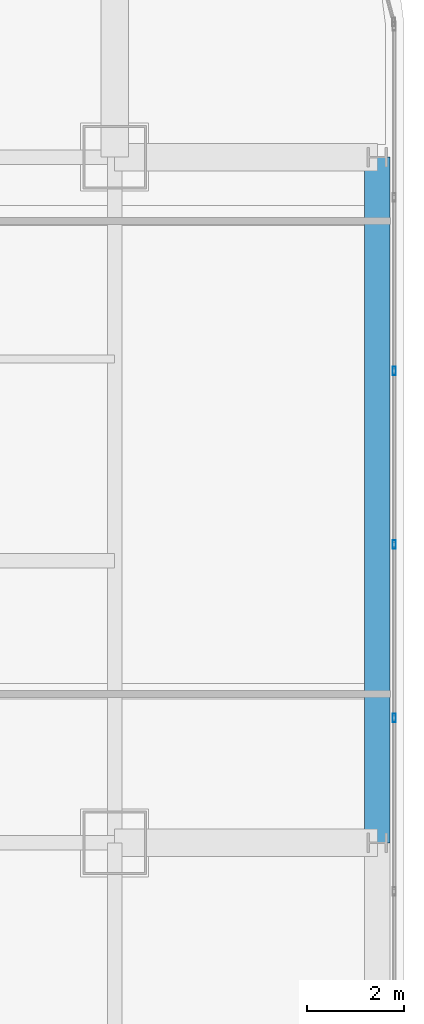
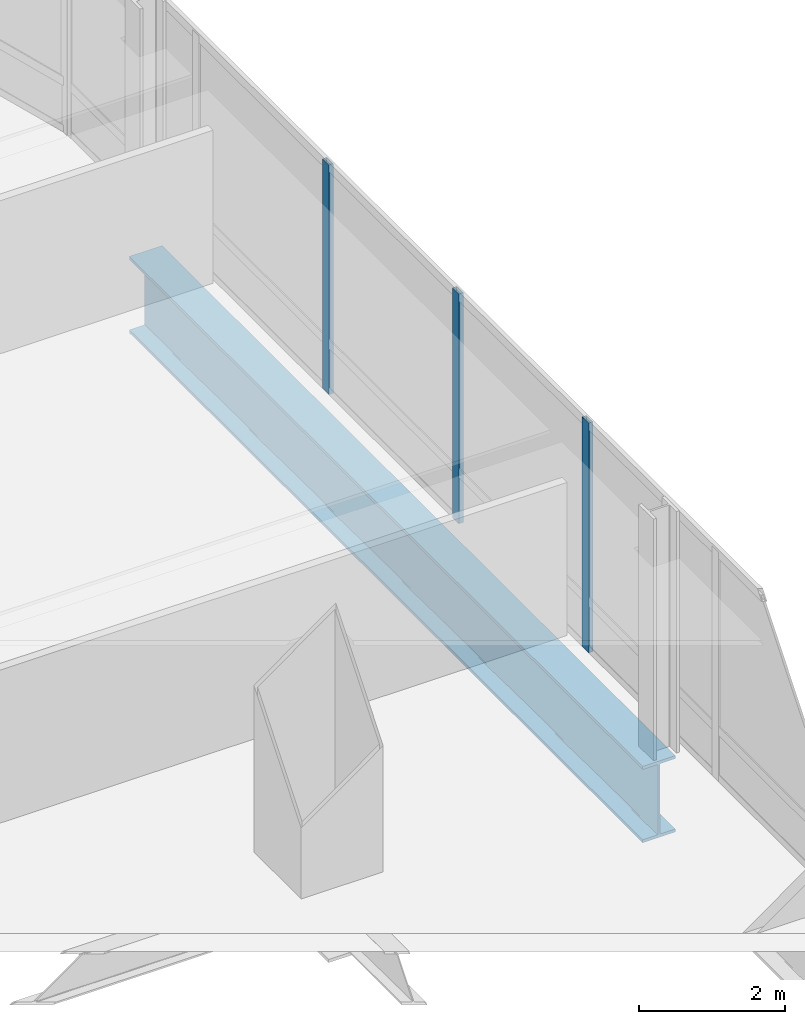
# One storey, part 21 of 42: 3 members, 1 beam, 1 element without a shape of its own.
"""IFC4 building model written with IfcOpenShell, lengths in metres."""

from ifc_helpers import new_model, si_unit, direction, frame, origin, origin_2d, place, context, subcontext, project, spatial, hollow_rectangle, i_section, extrude, material, material_profile, profile_set, type_object, element, aggregate, save


model = new_model("IFC4")

# Units and contexts
model_context = context("Model", 3, precision=1e-05, world=origin(), true_north=direction((0.0, 1.0)))
body_context = subcontext(model_context, "Body", "Model", "MODEL_VIEW")
ifc_project = project(units=[si_unit("LENGTHUNIT", "METRE"), si_unit("AREAUNIT", "SQUARE_METRE"), si_unit("VOLUMEUNIT", "CUBIC_METRE"), si_unit("PLANEANGLEUNIT", "RADIAN"), si_unit("MASSUNIT", "GRAM", prefix="KILO")], contexts=[model_context])

# Site, building, storey
site_placement = place(None, origin())
site = spatial("IfcSite", under=ifc_project, at=site_placement, CompositionType="ELEMENT")
building_placement = place(site_placement, origin())
building = spatial("IfcBuilding", under=site, at=building_placement, Name="Punatoya Terracotta Tower", CompositionType="ELEMENT")
storey_placement = place(building_placement, frame((0.0, 0.0, 259.5)))
storey = spatial("IfcBuildingStorey", under=building, at=storey_placement, Name="L61", CompositionType="ELEMENT", Elevation=259.5)

# Beam
ifc_material_1 = material(Name="Steel S460", Category="steel")
ifc_material_profile_1 = material_profile(ifc_material_1, i_section(OverallWidth=0.52001953125, OverallDepth=1.280029296875, WebThickness=0.031982421875, FlangeThickness=0.050048828125, FilletRadius=0.01806640625, at=origin_2d()))
ifc_profile_set_1 = profile_set([ifc_material_profile_1], Name="Steel S460")
beam_type = type_object("IfcBeamType", Name="BM-TG-NCK", PredefinedType="BEAM", material=ifc_profile_set_1)
beam_placement = place(storey_placement, frame((24.5, 3.39990234375, -0.840087890625), z_axis=(0.0, 1.0, 0.0), x_axis=(-1.0, 0.0, 0.0)))
element("IfcBeam", 1, at=beam_placement, inside=storey, type_object=beam_type, Name="BM-L61-PER-E3", PredefinedType="BEAM", context=body_context, shape_type="SweptSolid", body=[
    extrude(i_section(OverallWidth=0.52001953125, OverallDepth=1.280029296875, WebThickness=0.031982421875, FlangeThickness=0.050048828125, FilletRadius=0.01806640625, at=origin_2d()), origin(), (0.0, 0.0, 1.0), 14.10009765625),
])

# Curtain wall, members
ifc_material_2 = material(Name="Aluminium 6063-T6 + Double Low-E Glass", Category="aluminium")
curtain_wall_type = type_object("IfcCurtainWallType", Name="CW-M3", PredefinedType="NOTDEFINED", material=ifc_material_2)
curtain_wall_placement = place(storey_placement, origin())
curtain_wall = element("IfcCurtainWall", 2, at=curtain_wall_placement, inside=storey, type_object=curtain_wall_type, Name="L61 Curtain Wall CW-L61-E05-1", PredefinedType="NOTDEFINED")
ifc_material_3 = material(Name="Aluminium 6063-T6", Category="aluminium")
ifc_material_profile_2 = material_profile(ifc_material_3, hollow_rectangle(XDim=0.070068359375, YDim=0.179931640625, WallThickness=0.00390625, at=origin_2d()))
ifc_profile_set_2 = profile_set([ifc_material_profile_2], Name="Aluminium 6063-T6")
member_type = type_object("IfcMemberType", Name="CW-MUL-M3", PredefinedType="MULLION", material=ifc_profile_set_2)
member_1_placement = place(storey_placement, frame((24.85009765625, 5.96728515625, 0.0), z_axis=(0.0, 0.0, 1.0), x_axis=(1.0, 0.0, 0.0)))
member_1 = element("IfcMember", 3, at=member_1_placement, type_object=member_type, Name="CW-L61-E05-1 Mullion 06", PredefinedType="MULLION", context=body_context, shape_type="SweptSolid", body=[
    extrude(hollow_rectangle(XDim=0.070068359375, YDim=0.179931640625, WallThickness=0.00390625, at=origin_2d()), origin(), (0.0, 0.0, 1.0), 3.85009765625),
])
member_2_placement = place(storey_placement, frame((24.85009765625, 9.534912109375, 0.0), z_axis=(0.0, 0.0, 1.0), x_axis=(1.0, 0.0, 0.0)))
member_2 = element("IfcMember", 4, at=member_2_placement, type_object=member_type, Name="CW-L61-E05-1 Mullion 07", PredefinedType="MULLION", context=body_context, shape_type="SweptSolid", body=[
    extrude(hollow_rectangle(XDim=0.070068359375, YDim=0.179931640625, WallThickness=0.00390625, at=origin_2d()), origin(), (0.0, 0.0, 1.0), 3.85009765625),
])
member_3_placement = place(storey_placement, frame((24.85009765625, 13.10205078125, 0.0), z_axis=(0.0, 0.0, 1.0), x_axis=(1.0, 0.0, 0.0)))
member_3 = element("IfcMember", 5, at=member_3_placement, type_object=member_type, Name="CW-L61-E05-1 Mullion 08", PredefinedType="MULLION", context=body_context, shape_type="SweptSolid", body=[
    extrude(hollow_rectangle(XDim=0.070068359375, YDim=0.179931640625, WallThickness=0.00390625, at=origin_2d()), origin(), (0.0, 0.0, 1.0), 3.85009765625),
])
aggregate(curtain_wall, [member_1, member_2, member_3])

save(model, "model.ifc")
